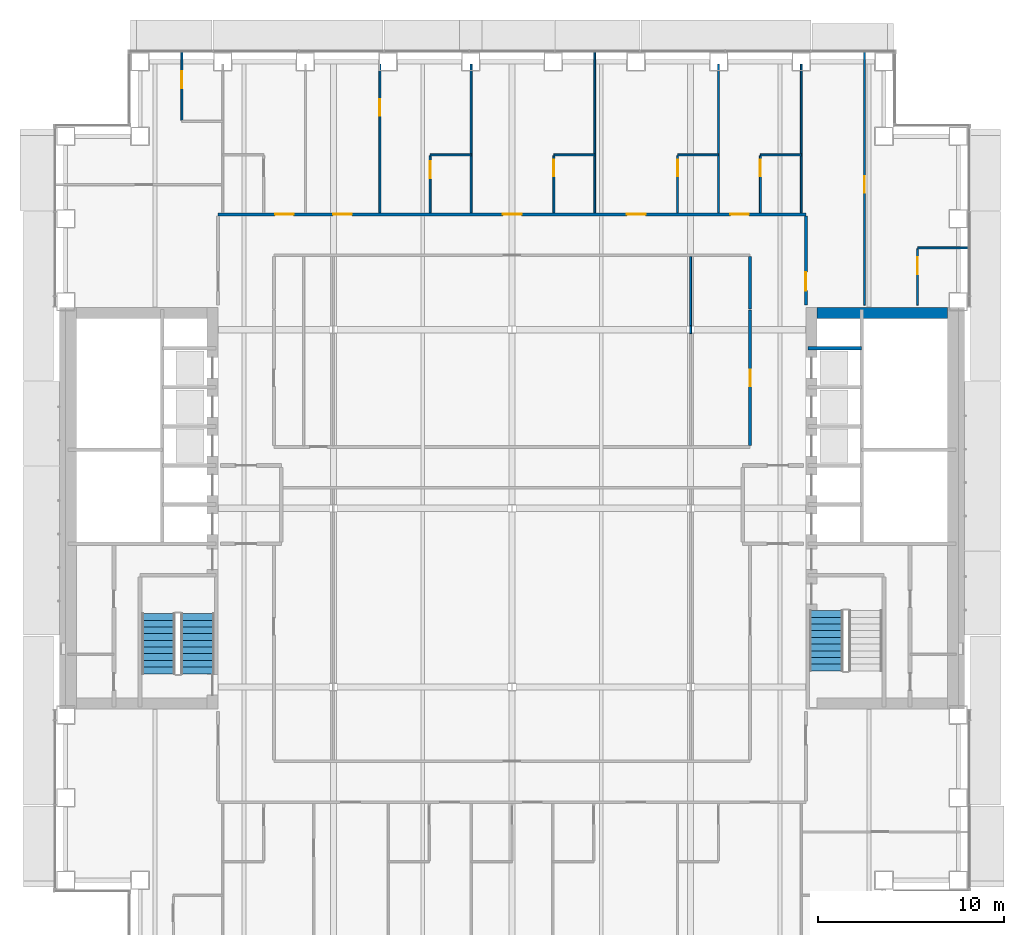
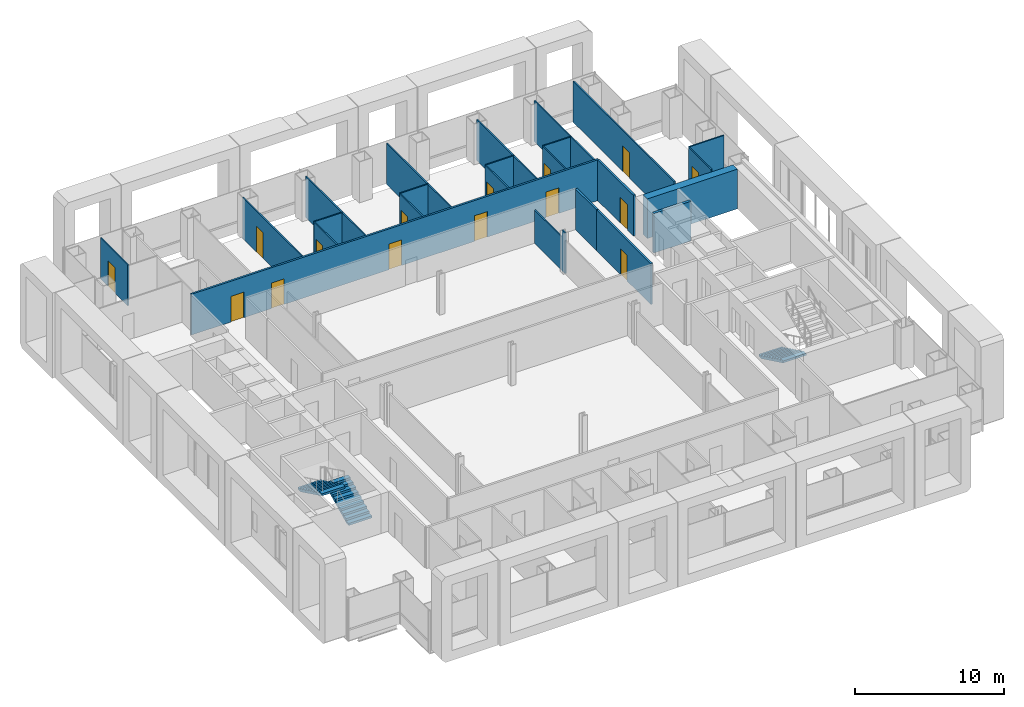
# One storey, part 18 of 25: 25 walls, 15 doors, 3 stair flights, 15 openings, 2 elements without a shape of their own.
"""IFC4 building model written with IfcOpenShell, lengths in metres."""

from ifc_helpers import new_model, si_unit, direction, frame, frame_2d, origin, place, context, subcontext, project, spatial, polyline, rectangle, outline, extrude, material, layer, layer_set, type_object, element, fill, aggregate, save


model = new_model("IFC4")

# Units and contexts
model_context = context("Model", 3, precision=1e-05, world=origin(), true_north=direction((0.0, 1.0)))
body_context = subcontext(model_context, "Body", "Model", "MODEL_VIEW")
ifc_project = project(units=[si_unit("LENGTHUNIT", "METRE"), si_unit("AREAUNIT", "SQUARE_METRE"), si_unit("VOLUMEUNIT", "CUBIC_METRE"), si_unit("PLANEANGLEUNIT", "RADIAN"), si_unit("MASSUNIT", "GRAM", prefix="KILO")], contexts=[model_context])

# Site, building, storey
site_placement = place(None, origin())
site = spatial("IfcSite", under=ifc_project, at=site_placement, CompositionType="ELEMENT")
building_placement = place(site_placement, origin())
building = spatial("IfcBuilding", under=site, at=building_placement, Name="Cobrizo Arcos Hotel Tower", CompositionType="ELEMENT")
storey_placement = place(building_placement, frame((0.0, 0.0, 46.0)))
storey = spatial("IfcBuildingStorey", under=building, at=storey_placement, Name="L09", CompositionType="ELEMENT", Elevation=46.0)

# Wall, openings, doors
ifc_material_1 = material(Name="Gypsum board partition")
ifc_layer_1 = layer(ifc_material_1, 0.14990234375)
ifc_layer_set_1 = layer_set([ifc_layer_1], Name="Corridor wall EI 60 150")
wall_type_1 = type_object("IfcWallType", Name="Corridor wall EI 60 150", PredefinedType="PARTITIONING", material=ifc_layer_set_1)
wall_1_placement = place(storey_placement, frame((-15.800048828125, 15.800048828125, 0.0), z_axis=(0.0, 0.0, 1.0), x_axis=(1.0, 0.0, 0.0)))
wall_1 = element("IfcWall", 1, at=wall_1_placement, inside=storey, type_object=wall_type_1, Name="Partition 037", PredefinedType="PARTITIONING", context=body_context, shape_type="SweptSolid", body=[
    extrude(rectangle(XDim=31.60009765625, YDim=0.14990234375, at=frame_2d((15.800048828125, 0.0))), origin(), (0.0, 0.0, 1.0), 3.35009765625),
])
opening_1_placement = place(wall_1_placement, frame((3.06689453125, 0.0, 0.0)))
opening_1 = element("IfcOpeningElement", 2, at=opening_1_placement, cuts=wall_1, Name="Opening GD-01", PredefinedType="OPENING", context=body_context, shape_type="SweptSolid", body=[
    extrude(rectangle(XDim=1.0, YDim=2.10009765625, at=frame_2d((0.5, 1.050048828125))), frame((0.0, 0.0869140625, 0.0), z_axis=(0.0, -1.0, 0.0), x_axis=(1.0, 0.0, 0.0)), (0.0, 0.0, 1.0), 0.173828125),
])
opening_2_placement = place(wall_1_placement, frame((6.18896484375, 0.0, 0.0)))
opening_2 = element("IfcOpeningElement", 3, at=opening_2_placement, cuts=wall_1, Name="Opening GD-02", PredefinedType="OPENING", context=body_context, shape_type="SweptSolid", body=[
    extrude(rectangle(XDim=1.0, YDim=2.10009765625, at=frame_2d((0.5, 1.050048828125))), frame((0.0, 0.0869140625, 0.0), z_axis=(0.0, -1.0, 0.0), x_axis=(1.0, 0.0, 0.0)), (0.0, 0.0, 1.0), 0.173828125),
])
opening_3_placement = place(wall_1_placement, frame((15.31103515625, 0.0, 0.0)))
opening_3 = element("IfcOpeningElement", 4, at=opening_3_placement, cuts=wall_1, Name="Opening GD-03", PredefinedType="OPENING", context=body_context, shape_type="SweptSolid", body=[
    extrude(rectangle(XDim=1.0, YDim=2.10009765625, at=frame_2d((0.5, 1.050048828125))), frame((0.0, 0.0869140625, 0.0), z_axis=(0.0, -1.0, 0.0), x_axis=(1.0, 0.0, 0.0)), (0.0, 0.0, 1.0), 0.173828125),
])
opening_4_placement = place(wall_1_placement, frame((21.97705078125, 0.0, 0.0)))
opening_4 = element("IfcOpeningElement", 5, at=opening_4_placement, cuts=wall_1, Name="Opening GD-04", PredefinedType="OPENING", context=body_context, shape_type="SweptSolid", body=[
    extrude(rectangle(XDim=1.0, YDim=2.10009765625, at=frame_2d((0.5, 1.050048828125))), frame((0.0, 0.0869140625, 0.0), z_axis=(0.0, -1.0, 0.0), x_axis=(1.0, 0.0, 0.0)), (0.0, 0.0, 1.0), 0.173828125),
])
opening_5_placement = place(wall_1_placement, frame((27.533935546875, 0.0, 0.0)))
opening_5 = element("IfcOpeningElement", 6, at=opening_5_placement, cuts=wall_1, Name="Opening GD-05", PredefinedType="OPENING", context=body_context, shape_type="SweptSolid", body=[
    extrude(rectangle(XDim=1.0, YDim=2.10009765625, at=frame_2d((0.5, 1.050048828125))), frame((0.0, 0.0869140625, 0.0), z_axis=(0.0, -1.0, 0.0), x_axis=(1.0, 0.0, 0.0)), (0.0, 0.0, 1.0), 0.173828125),
])
ifc_material_2 = material(Name="Timber door leaf", Category="wood")
door_type_1 = type_object("IfcDoorType", Name="Guest room door FD30S 1000x2100", OperationType="SINGLE_SWING_LEFT", PredefinedType="DOOR", material=ifc_material_2)
door_1_placement = place(opening_1_placement, origin())
door_1 = element("IfcDoor", 7, at=door_1_placement, inside=storey, type_object=door_type_1, Name="Door GD-01", OperationType="SINGLE_SWING_RIGHT", OverallHeight=2.10009765625, OverallWidth=1.0, PredefinedType="DOOR", context=body_context, shape_type="SweptSolid", body=[
    extrude(rectangle(XDim=1.0, YDim=2.10009765625, at=frame_2d((0.5, 1.050048828125))), frame((0.0, 0.02490234375, 0.0), z_axis=(0.0, -1.0, 0.0), x_axis=(1.0, 0.0, 0.0)), (0.0, 0.0, 1.0), 0.050048828125),
])
fill(opening_1, door_1)
door_2_placement = place(opening_2_placement, origin())
door_2 = element("IfcDoor", 8, at=door_2_placement, inside=storey, type_object=door_type_1, Name="Door GD-02", OperationType="SINGLE_SWING_LEFT", OverallHeight=2.10009765625, OverallWidth=1.0, PredefinedType="DOOR", context=body_context, shape_type="SweptSolid", body=[
    extrude(rectangle(XDim=1.0, YDim=2.10009765625, at=frame_2d((0.5, 1.050048828125))), frame((0.0, 0.02490234375, 0.0), z_axis=(0.0, -1.0, 0.0), x_axis=(1.0, 0.0, 0.0)), (0.0, 0.0, 1.0), 0.050048828125),
])
fill(opening_2, door_2)
door_3_placement = place(opening_3_placement, origin())
door_3 = element("IfcDoor", 9, at=door_3_placement, inside=storey, type_object=door_type_1, Name="Door GD-03", OperationType="SINGLE_SWING_LEFT", OverallHeight=2.10009765625, OverallWidth=1.0, PredefinedType="DOOR", context=body_context, shape_type="SweptSolid", body=[
    extrude(rectangle(XDim=1.0, YDim=2.10009765625, at=frame_2d((0.5, 1.050048828125))), frame((0.0, 0.02490234375, 0.0), z_axis=(0.0, -1.0, 0.0), x_axis=(1.0, 0.0, 0.0)), (0.0, 0.0, 1.0), 0.050048828125),
])
fill(opening_3, door_3)
door_4_placement = place(opening_4_placement, origin())
door_4 = element("IfcDoor", 10, at=door_4_placement, inside=storey, type_object=door_type_1, Name="Door GD-04", OperationType="SINGLE_SWING_RIGHT", OverallHeight=2.10009765625, OverallWidth=1.0, PredefinedType="DOOR", context=body_context, shape_type="SweptSolid", body=[
    extrude(rectangle(XDim=1.0, YDim=2.10009765625, at=frame_2d((0.5, 1.050048828125))), frame((0.0, 0.02490234375, 0.0), z_axis=(0.0, -1.0, 0.0), x_axis=(1.0, 0.0, 0.0)), (0.0, 0.0, 1.0), 0.050048828125),
])
fill(opening_4, door_4)
door_5_placement = place(opening_5_placement, origin())
door_5 = element("IfcDoor", 11, at=door_5_placement, inside=storey, type_object=door_type_1, Name="Door GD-05", OperationType="SINGLE_SWING_RIGHT", OverallHeight=2.10009765625, OverallWidth=1.0, PredefinedType="DOOR", context=body_context, shape_type="SweptSolid", body=[
    extrude(rectangle(XDim=1.0, YDim=2.10009765625, at=frame_2d((0.5, 1.050048828125))), frame((0.0, 0.02490234375, 0.0), z_axis=(0.0, -1.0, 0.0), x_axis=(1.0, 0.0, 0.0)), (0.0, 0.0, 1.0), 0.050048828125),
])
fill(opening_5, door_5)

# Wall, opening, door
wall_2_placement = place(storey_placement, frame((12.800048828125, 3.375, 0.0), z_axis=(0.0, 0.0, 1.0), x_axis=(0.0, 1.0, 0.0)))
wall_2 = element("IfcWall", 12, at=wall_2_placement, inside=storey, type_object=wall_type_1, Name="Partition 096", PredefinedType="PARTITIONING", context=body_context, shape_type="SweptSolid", body=[
    extrude(rectangle(XDim=7.27490234375, YDim=0.14990234375, at=frame_2d((3.637451171875, 0.0))), origin(), (0.0, 0.0, 1.0), 3.35009765625),
])
opening_6_placement = place(wall_2_placement, frame((3.175048828125, 0.0, 0.0)))
opening_6 = element("IfcOpeningElement", 13, at=opening_6_placement, cuts=wall_2, Name="Opening RD-09", PredefinedType="OPENING", context=body_context, shape_type="SweptSolid", body=[
    extrude(rectangle(XDim=0.89990234375, YDim=2.10009765625, at=frame_2d((0.449951171875, 1.050048828125))), frame((0.0, 0.0869140625, 0.0), z_axis=(0.0, -1.0, 0.0), x_axis=(1.0, 0.0, 0.0)), (0.0, 0.0, 1.0), 0.173828125),
])
door_type_2 = type_object("IfcDoorType", Name="Room door FD30 900x2100", OperationType="SINGLE_SWING_LEFT", PredefinedType="DOOR", material=ifc_material_2)
door_6_placement = place(opening_6_placement, origin())
door_6 = element("IfcDoor", 14, at=door_6_placement, inside=storey, type_object=door_type_2, Name="Door RD-09", OperationType="SINGLE_SWING_LEFT", OverallHeight=2.10009765625, OverallWidth=0.89990234375, PredefinedType="DOOR", context=body_context, shape_type="SweptSolid", body=[
    extrude(rectangle(XDim=0.89990234375, YDim=2.10009765625, at=frame_2d((0.449951171875, 1.050048828125))), frame((0.0, 0.02490234375, 0.0), z_axis=(0.0, -1.0, 0.0), x_axis=(1.0, 0.0, 0.0)), (0.0, 0.0, 1.0), 0.050048828125),
])
fill(opening_6, door_6)

# Wall
wall_3_placement = place(storey_placement, frame((12.800048828125, 10.699951171875, 0.0), z_axis=(0.0, 0.0, 1.0), x_axis=(0.0, 1.0, 0.0)))
element("IfcWall", 15, at=wall_3_placement, inside=storey, type_object=wall_type_1, Name="Partition 097", PredefinedType="PARTITIONING", context=body_context, shape_type="SweptSolid", body=[
    extrude(rectangle(XDim=2.824951171875, YDim=0.14990234375, at=frame_2d((1.41259765625, 0.0))), origin(), (0.0, 0.0, 1.0), 3.35009765625),
])

# Wall, opening, door
wall_4_placement = place(storey_placement, frame((15.800048828125, 10.919921875, 0.0), z_axis=(0.0, 0.0, 1.0), x_axis=(0.0, 1.0, 0.0)))
wall_4 = element("IfcWall", 16, at=wall_4_placement, inside=storey, type_object=wall_type_1, Name="Partition 102", PredefinedType="PARTITIONING", context=body_context, shape_type="SweptSolid", body=[
    extrude(rectangle(XDim=4.80517578125, YDim=0.14990234375, at=frame_2d((2.402587890625, 0.0))), origin(), (0.0, 0.0, 1.0), 3.35009765625),
])
opening_7_placement = place(wall_4_placement, frame((0.780029296875, 0.0, 0.0)))
opening_7 = element("IfcOpeningElement", 17, at=opening_7_placement, cuts=wall_4, Name="Opening GD-14", PredefinedType="OPENING", context=body_context, shape_type="SweptSolid", body=[
    extrude(rectangle(XDim=1.0, YDim=2.10009765625, at=frame_2d((0.5, 1.050048828125))), frame((0.0, 0.0869140625, 0.0), z_axis=(0.0, -1.0, 0.0), x_axis=(1.0, 0.0, 0.0)), (0.0, 0.0, 1.0), 0.173828125),
])
door_7_placement = place(opening_7_placement, origin())
door_7 = element("IfcDoor", 18, at=door_7_placement, inside=storey, type_object=door_type_1, Name="Door GD-14", OperationType="SINGLE_SWING_LEFT", OverallHeight=2.10009765625, OverallWidth=1.0, PredefinedType="DOOR", context=body_context, shape_type="SweptSolid", body=[
    extrude(rectangle(XDim=1.0, YDim=2.10009765625, at=frame_2d((0.5, 1.050048828125))), frame((0.0, 0.02490234375, 0.0), z_axis=(0.0, -1.0, 0.0), x_axis=(1.0, 0.0, 0.0)), (0.0, 0.0, 1.0), 0.050048828125),
])
fill(opening_7, door_7)

# Walls
ifc_layer_2 = layer(ifc_material_1, 0.10009765625)
ifc_layer_set_2 = layer_set([ifc_layer_2], Name="Partition EI 30 100")
wall_type_2 = type_object("IfcWallType", Name="Partition EI 30 100", PredefinedType="PARTITIONING", material=ifc_layer_set_2)
wall_5_placement = place(storey_placement, frame((21.800048828125, 14.0, 0.0), z_axis=(0.0, 0.0, 1.0), x_axis=(1.0, 0.0, 0.0)))
element("IfcWall", 19, at=wall_5_placement, inside=storey, type_object=wall_type_2, Name="Partition 036", PredefinedType="PARTITIONING", context=body_context, shape_type="SweptSolid", body=[
    extrude(rectangle(XDim=2.72998046875, YDim=0.10009765625, at=frame_2d((1.364990234375, 0.0))), origin(), (0.0, 0.0, 1.0), 3.35009765625),
])
for number, where, z_axis, x_axis, name in (
    (20, (-4.39990234375, 19.0, 0.0), (0.0, 0.0, 1.0), (1.0, 0.0, 0.0), "Partition 040"),
    (21, (2.25, 19.0, 0.0), (0.0, 0.0, 1.0), (1.0, 0.0, 0.0), "Partition 041"),
):
    element("IfcWall", number, at=place(storey_placement, frame(where, z_axis=z_axis, x_axis=x_axis)), inside=storey, type_object=wall_type_2, Name=name, PredefinedType="PARTITIONING", context=body_context, shape_type="SweptSolid", body=[
        extrude(rectangle(XDim=2.199951171875, YDim=0.10009765625, at=frame_2d((1.10009765625, 0.0))), origin(), (0.0, 0.0, 1.0), 3.35009765625),
    ])
wall_6_placement = place(storey_placement, frame((8.89990234375, 19.0, 0.0), z_axis=(0.0, 0.0, 1.0), x_axis=(1.0, 0.0, 0.0)))
element("IfcWall", 22, at=wall_6_placement, inside=storey, type_object=wall_type_2, Name="Partition 042", PredefinedType="PARTITIONING", context=body_context, shape_type="SweptSolid", body=[
    extrude(rectangle(XDim=2.2001953125, YDim=0.10009765625, at=frame_2d((1.10009765625, 0.0))), origin(), (0.0, 0.0, 1.0), 3.35009765625),
])
wall_7_placement = place(storey_placement, frame((13.35009765625, 19.0, 0.0), z_axis=(0.0, 0.0, 1.0), x_axis=(1.0, 0.0, 0.0)))
element("IfcWall", 23, at=wall_7_placement, inside=storey, type_object=wall_type_2, Name="Partition 043", PredefinedType="PARTITIONING", context=body_context, shape_type="SweptSolid", body=[
    extrude(rectangle(XDim=2.199951171875, YDim=0.10009765625, at=frame_2d((1.10009765625, 0.0))), origin(), (0.0, 0.0, 1.0), 3.35009765625),
])

# Wall, opening, door
wall_8_placement = place(storey_placement, frame((-17.75, 20.85009765625, 0.0), z_axis=(0.0, 0.0, 1.0), x_axis=(0.0, 1.0, 0.0)))
wall_8 = element("IfcWall", 24, at=wall_8_placement, inside=storey, type_object=wall_type_2, Name="Partition 049", PredefinedType="PARTITIONING", context=body_context, shape_type="SweptSolid", body=[
    extrude(rectangle(XDim=3.679931640625, YDim=0.10009765625, at=frame_2d((1.83984375, 0.0))), origin(), (0.0, 0.0, 1.0), 3.35009765625),
])
opening_8_placement = place(wall_8_placement, frame((1.739990234375, 0.0, 0.0)))
opening_8 = element("IfcOpeningElement", 25, at=opening_8_placement, cuts=wall_8, Name="Opening ED-13", PredefinedType="OPENING", context=body_context, shape_type="SweptSolid", body=[
    extrude(rectangle(XDim=0.89990234375, YDim=2.10009765625, at=frame_2d((0.449951171875, 1.050048828125))), frame((0.0, 0.06201171875, 0.0), z_axis=(0.0, -1.0, 0.0), x_axis=(1.0, 0.0, 0.0)), (0.0, 0.0, 1.0), 0.1240234375),
])
door_type_3 = type_object("IfcDoorType", Name="En-suite door 900x2100", OperationType="SINGLE_SWING_LEFT", PredefinedType="DOOR", material=ifc_material_2)
door_8_placement = place(opening_8_placement, origin())
door_8 = element("IfcDoor", 26, at=door_8_placement, inside=storey, type_object=door_type_3, Name="Door ED-13", OperationType="SINGLE_SWING_LEFT", OverallHeight=2.10009765625, OverallWidth=0.89990234375, PredefinedType="DOOR", context=body_context, shape_type="SweptSolid", body=[
    extrude(rectangle(XDim=0.89990234375, YDim=2.10009765625, at=frame_2d((0.449951171875, 1.050048828125))), frame((0.0, 0.02490234375, 0.0), z_axis=(0.0, -1.0, 0.0), x_axis=(1.0, 0.0, 0.0)), (0.0, 0.0, 1.0), 0.050048828125),
])
fill(opening_8, door_8)

wall_9_placement = place(storey_placement, frame((-7.10009765625, 15.875, 0.0), z_axis=(0.0, 0.0, 1.0), x_axis=(0.0, 1.0, 0.0)))
wall_9 = element("IfcWall", 27, at=wall_9_placement, inside=storey, type_object=wall_type_2, Name="Partition 071", PredefinedType="PARTITIONING", context=body_context, shape_type="SweptSolid", body=[
    extrude(rectangle(XDim=8.0048828125, YDim=0.10009765625, at=frame_2d((4.00244140625, 0.0))), origin(), (0.0, 0.0, 1.0), 3.35009765625),
])
opening_9_placement = place(wall_9_placement, frame((5.215087890625, 0.0, 0.0)))
opening_9 = element("IfcOpeningElement", 28, at=opening_9_placement, cuts=wall_9, Name="Opening RD-04", PredefinedType="OPENING", context=body_context, shape_type="SweptSolid", body=[
    extrude(rectangle(XDim=0.89990234375, YDim=2.10009765625, at=frame_2d((0.449951171875, 1.050048828125))), frame((0.0, 0.06201171875, 0.0), z_axis=(0.0, -1.0, 0.0), x_axis=(1.0, 0.0, 0.0)), (0.0, 0.0, 1.0), 0.1240234375),
])
door_9_placement = place(opening_9_placement, origin())
door_9 = element("IfcDoor", 29, at=door_9_placement, inside=storey, type_object=door_type_2, Name="Door RD-04", OperationType="SINGLE_SWING_LEFT", OverallHeight=2.10009765625, OverallWidth=0.89990234375, PredefinedType="DOOR", context=body_context, shape_type="SweptSolid", body=[
    extrude(rectangle(XDim=0.89990234375, YDim=2.10009765625, at=frame_2d((0.449951171875, 1.050048828125))), frame((0.0, 0.02490234375, 0.0), z_axis=(0.0, -1.0, 0.0), x_axis=(1.0, 0.0, 0.0)), (0.0, 0.0, 1.0), 0.050048828125),
])
fill(opening_9, door_9)

wall_10_placement = place(storey_placement, frame((-4.39990234375, 15.875, 0.0), z_axis=(0.0, 0.0, 1.0), x_axis=(0.0, 1.0, 0.0)))
wall_10 = element("IfcWall", 30, at=wall_10_placement, inside=storey, type_object=wall_type_2, Name="Partition 074", PredefinedType="PARTITIONING", context=body_context, shape_type="SweptSolid", body=[
    extrude(rectangle(XDim=3.074951171875, YDim=0.10009765625, at=frame_2d((1.53759765625, 0.0))), origin(), (0.0, 0.0, 1.0), 3.35009765625),
])
opening_10_placement = place(wall_10_placement, frame((1.875, 0.0, 0.0)))
opening_10 = element("IfcOpeningElement", 31, at=opening_10_placement, cuts=wall_10, Name="Opening ED-03", PredefinedType="OPENING", context=body_context, shape_type="SweptSolid", body=[
    extrude(rectangle(XDim=0.89990234375, YDim=2.10009765625, at=frame_2d((0.449951171875, 1.050048828125))), frame((0.0, 0.06201171875, 0.0), z_axis=(0.0, -1.0, 0.0), x_axis=(1.0, 0.0, 0.0)), (0.0, 0.0, 1.0), 0.1240234375),
])
door_10_placement = place(opening_10_placement, origin())
door_10 = element("IfcDoor", 32, at=door_10_placement, inside=storey, type_object=door_type_3, Name="Door ED-03", OperationType="SINGLE_SWING_RIGHT", OverallHeight=2.10009765625, OverallWidth=0.89990234375, PredefinedType="DOOR", context=body_context, shape_type="SweptSolid", body=[
    extrude(rectangle(XDim=0.89990234375, YDim=2.10009765625, at=frame_2d((0.449951171875, 1.050048828125))), frame((0.0, 0.02490234375, 0.0), z_axis=(0.0, -1.0, 0.0), x_axis=(1.0, 0.0, 0.0)), (0.0, 0.0, 1.0), 0.050048828125),
])
fill(opening_10, door_10)

# Wall
wall_11_placement = place(storey_placement, frame((-2.199951171875, 15.875, 0.0), z_axis=(0.0, 0.0, 1.0), x_axis=(0.0, 1.0, 0.0)))
element("IfcWall", 33, at=wall_11_placement, inside=storey, type_object=wall_type_2, Name="Partition 076", PredefinedType="PARTITIONING", context=body_context, shape_type="SweptSolid", body=[
    extrude(rectangle(XDim=8.0048828125, YDim=0.10009765625, at=frame_2d((4.00244140625, 0.0))), origin(), (0.0, 0.0, 1.0), 3.35009765625),
])

# Wall, opening, door
wall_12_placement = place(storey_placement, frame((2.25, 15.875, 0.0), z_axis=(0.0, 0.0, 1.0), x_axis=(0.0, 1.0, 0.0)))
wall_12 = element("IfcWall", 34, at=wall_12_placement, inside=storey, type_object=wall_type_2, Name="Partition 079", PredefinedType="PARTITIONING", context=body_context, shape_type="SweptSolid", body=[
    extrude(rectangle(XDim=3.074951171875, YDim=0.10009765625, at=frame_2d((1.53759765625, 0.0))), origin(), (0.0, 0.0, 1.0), 3.35009765625),
])
opening_11_placement = place(wall_12_placement, frame((1.970947265625, 0.0, 0.0)))
opening_11 = element("IfcOpeningElement", 35, at=opening_11_placement, cuts=wall_12, Name="Opening ED-04", PredefinedType="OPENING", context=body_context, shape_type="SweptSolid", body=[
    extrude(rectangle(XDim=0.89990234375, YDim=2.10009765625, at=frame_2d((0.449951171875, 1.050048828125))), frame((0.0, 0.06201171875, 0.0), z_axis=(0.0, -1.0, 0.0), x_axis=(1.0, 0.0, 0.0)), (0.0, 0.0, 1.0), 0.1240234375),
])
door_11_placement = place(opening_11_placement, origin())
door_11 = element("IfcDoor", 36, at=door_11_placement, inside=storey, type_object=door_type_3, Name="Door ED-04", OperationType="SINGLE_SWING_RIGHT", OverallHeight=2.10009765625, OverallWidth=0.89990234375, PredefinedType="DOOR", context=body_context, shape_type="SweptSolid", body=[
    extrude(rectangle(XDim=0.89990234375, YDim=2.10009765625, at=frame_2d((0.449951171875, 1.050048828125))), frame((0.0, 0.02490234375, 0.0), z_axis=(0.0, -1.0, 0.0), x_axis=(1.0, 0.0, 0.0)), (0.0, 0.0, 1.0), 0.050048828125),
])
fill(opening_11, door_11)

# Wall
wall_13_placement = place(storey_placement, frame((4.449951171875, 15.875, 0.0), z_axis=(0.0, 0.0, 1.0), x_axis=(0.0, 1.0, 0.0)))
element("IfcWall", 37, at=wall_13_placement, inside=storey, type_object=wall_type_2, Name="Partition 081", PredefinedType="PARTITIONING", context=body_context, shape_type="SweptSolid", body=[
    extrude(rectangle(XDim=8.655029296875, YDim=0.10009765625, at=frame_2d((4.32763671875, 0.0))), origin(), (0.0, 0.0, 1.0), 3.35009765625),
])

# Wall, opening, door
wall_14_placement = place(storey_placement, frame((8.89990234375, 15.875, 0.0), z_axis=(0.0, 0.0, 1.0), x_axis=(0.0, 1.0, 0.0)))
wall_14 = element("IfcWall", 38, at=wall_14_placement, inside=storey, type_object=wall_type_2, Name="Partition 083", PredefinedType="PARTITIONING", context=body_context, shape_type="SweptSolid", body=[
    extrude(rectangle(XDim=3.074951171875, YDim=0.10009765625, at=frame_2d((1.53759765625, 0.0))), origin(), (0.0, 0.0, 1.0), 3.35009765625),
])
opening_12_placement = place(wall_14_placement, frame((1.970947265625, 0.0, 0.0)))
opening_12 = element("IfcOpeningElement", 39, at=opening_12_placement, cuts=wall_14, Name="Opening ED-05", PredefinedType="OPENING", context=body_context, shape_type="SweptSolid", body=[
    extrude(rectangle(XDim=0.89990234375, YDim=2.10009765625, at=frame_2d((0.449951171875, 1.050048828125))), frame((0.0, 0.06201171875, 0.0), z_axis=(0.0, -1.0, 0.0), x_axis=(1.0, 0.0, 0.0)), (0.0, 0.0, 1.0), 0.1240234375),
])
door_12_placement = place(opening_12_placement, origin())
door_12 = element("IfcDoor", 40, at=door_12_placement, inside=storey, type_object=door_type_3, Name="Door ED-05", OperationType="SINGLE_SWING_LEFT", OverallHeight=2.10009765625, OverallWidth=0.89990234375, PredefinedType="DOOR", context=body_context, shape_type="SweptSolid", body=[
    extrude(rectangle(XDim=0.89990234375, YDim=2.10009765625, at=frame_2d((0.449951171875, 1.050048828125))), frame((0.0, 0.02490234375, 0.0), z_axis=(0.0, -1.0, 0.0), x_axis=(1.0, 0.0, 0.0)), (0.0, 0.0, 1.0), 0.050048828125),
])
fill(opening_12, door_12)

# Walls
wall_15_placement = place(storey_placement, frame((9.60009765625, 9.39599609375, 0.0), z_axis=(0.0, 0.0, 1.0), x_axis=(0.0, 1.0, 0.0)))
element("IfcWall", 41, at=wall_15_placement, inside=storey, type_object=wall_type_2, Name="Partition 090", PredefinedType="PARTITIONING", context=body_context, shape_type="SweptSolid", body=[
    extrude(rectangle(XDim=0.407958984375, YDim=0.10009765625, at=frame_2d((0.2041015625, 0.0))), origin(), (0.0, 0.0, 1.0), 3.35009765625),
])
wall_16_placement = place(storey_placement, frame((9.60009765625, 9.803955078125, 0.0), z_axis=(0.0, 0.0, 1.0), x_axis=(0.0, 1.0, 0.0)))
element("IfcWall", 42, at=wall_16_placement, inside=storey, type_object=wall_type_2, Name="Partition 091", PredefinedType="PARTITIONING", context=body_context, shape_type="SweptSolid", body=[
    extrude(rectangle(XDim=3.720947265625, YDim=0.10009765625, at=frame_2d((1.8603515625, 0.0))), origin(), (0.0, 0.0, 1.0), 2.72802734375),
])
wall_17_placement = place(storey_placement, frame((11.10009765625, 15.875, 0.0), z_axis=(0.0, 0.0, 1.0), x_axis=(0.0, 1.0, 0.0)))
element("IfcWall", 43, at=wall_17_placement, inside=storey, type_object=wall_type_2, Name="Partition 093", PredefinedType="PARTITIONING", context=body_context, shape_type="SweptSolid", body=[
    extrude(rectangle(XDim=8.0048828125, YDim=0.10009765625, at=frame_2d((4.00244140625, 0.0))), origin(), (0.0, 0.0, 1.0), 3.35009765625),
])

# Wall, opening, door
wall_18_placement = place(storey_placement, frame((13.35009765625, 15.875, 0.0), z_axis=(0.0, 0.0, 1.0), x_axis=(0.0, 1.0, 0.0)))
wall_18 = element("IfcWall", 44, at=wall_18_placement, inside=storey, type_object=wall_type_2, Name="Partition 098", PredefinedType="PARTITIONING", context=body_context, shape_type="SweptSolid", body=[
    extrude(rectangle(XDim=3.074951171875, YDim=0.10009765625, at=frame_2d((1.53759765625, 0.0))), origin(), (0.0, 0.0, 1.0), 3.35009765625),
])
opening_13_placement = place(wall_18_placement, frame((1.970947265625, 0.0, 0.0)))
opening_13 = element("IfcOpeningElement", 45, at=opening_13_placement, cuts=wall_18, Name="Opening ED-06", PredefinedType="OPENING", context=body_context, shape_type="SweptSolid", body=[
    extrude(rectangle(XDim=0.89990234375, YDim=2.10009765625, at=frame_2d((0.449951171875, 1.050048828125))), frame((0.0, 0.06201171875, 0.0), z_axis=(0.0, -1.0, 0.0), x_axis=(1.0, 0.0, 0.0)), (0.0, 0.0, 1.0), 0.1240234375),
])
door_13_placement = place(opening_13_placement, origin())
door_13 = element("IfcDoor", 46, at=door_13_placement, inside=storey, type_object=door_type_3, Name="Door ED-06", OperationType="SINGLE_SWING_RIGHT", OverallHeight=2.10009765625, OverallWidth=0.89990234375, PredefinedType="DOOR", context=body_context, shape_type="SweptSolid", body=[
    extrude(rectangle(XDim=0.89990234375, YDim=2.10009765625, at=frame_2d((0.449951171875, 1.050048828125))), frame((0.0, 0.02490234375, 0.0), z_axis=(0.0, -1.0, 0.0), x_axis=(1.0, 0.0, 0.0)), (0.0, 0.0, 1.0), 0.050048828125),
])
fill(opening_13, door_13)

# Wall
wall_19_placement = place(storey_placement, frame((15.550048828125, 15.875, 0.0), z_axis=(0.0, 0.0, 1.0), x_axis=(0.0, 1.0, 0.0)))
element("IfcWall", 47, at=wall_19_placement, inside=storey, type_object=wall_type_2, Name="Partition 100", PredefinedType="PARTITIONING", context=body_context, shape_type="SweptSolid", body=[
    extrude(rectangle(XDim=8.0048828125, YDim=0.10009765625, at=frame_2d((4.00244140625, 0.0))), origin(), (0.0, 0.0, 1.0), 3.35009765625),
])

# Wall, opening, door
wall_20_placement = place(storey_placement, frame((18.949951171875, 10.919921875, 0.0), z_axis=(0.0, 0.0, 1.0), x_axis=(0.0, 1.0, 0.0)))
wall_20 = element("IfcWall", 48, at=wall_20_placement, inside=storey, type_object=wall_type_2, Name="Partition 105", PredefinedType="PARTITIONING", context=body_context, shape_type="SweptSolid", body=[
    extrude(rectangle(XDim=13.610107421875, YDim=0.10009765625, at=frame_2d((6.80517578125, 0.0))), origin(), (0.0, 0.0, 1.0), 3.35009765625),
])
opening_14_placement = place(wall_20_placement, frame((6.030029296875, 0.0, 0.0)))
opening_14 = element("IfcOpeningElement", 49, at=opening_14_placement, cuts=wall_20, Name="Opening RD-08", PredefinedType="OPENING", context=body_context, shape_type="SweptSolid", body=[
    extrude(rectangle(XDim=0.89990234375, YDim=2.10009765625, at=frame_2d((0.449951171875, 1.050048828125))), frame((0.0, 0.06201171875, 0.0), z_axis=(0.0, -1.0, 0.0), x_axis=(1.0, 0.0, 0.0)), (0.0, 0.0, 1.0), 0.1240234375),
])
door_14_placement = place(opening_14_placement, origin())
door_14 = element("IfcDoor", 50, at=door_14_placement, inside=storey, type_object=door_type_2, Name="Door RD-08", OperationType="SINGLE_SWING_RIGHT", OverallHeight=2.10009765625, OverallWidth=0.89990234375, PredefinedType="DOOR", context=body_context, shape_type="SweptSolid", body=[
    extrude(rectangle(XDim=0.89990234375, YDim=2.10009765625, at=frame_2d((0.449951171875, 1.050048828125))), frame((0.0, 0.02490234375, 0.0), z_axis=(0.0, -1.0, 0.0), x_axis=(1.0, 0.0, 0.0)), (0.0, 0.0, 1.0), 0.050048828125),
])
fill(opening_14, door_14)

wall_21_placement = place(storey_placement, frame((21.800048828125, 10.919921875, 0.0), z_axis=(0.0, 0.0, 1.0), x_axis=(0.0, 1.0, 0.0)))
wall_21 = element("IfcWall", 51, at=wall_21_placement, inside=storey, type_object=wall_type_2, Name="Partition 108", PredefinedType="PARTITIONING", context=body_context, shape_type="SweptSolid", body=[
    extrude(rectangle(XDim=3.030029296875, YDim=0.10009765625, at=frame_2d((1.51513671875, 0.0))), origin(), (0.0, 0.0, 1.0), 3.35009765625),
])
opening_15_placement = place(wall_21_placement, frame((1.669921875, 0.0, 0.0)))
opening_15 = element("IfcOpeningElement", 52, at=opening_15_placement, cuts=wall_21, Name="Opening ED-15", PredefinedType="OPENING", context=body_context, shape_type="SweptSolid", body=[
    extrude(rectangle(XDim=0.89990234375, YDim=2.10009765625, at=frame_2d((0.449951171875, 1.050048828125))), frame((0.0, 0.06201171875, 0.0), z_axis=(0.0, -1.0, 0.0), x_axis=(1.0, 0.0, 0.0)), (0.0, 0.0, 1.0), 0.1240234375),
])
door_15_placement = place(opening_15_placement, origin())
door_15 = element("IfcDoor", 53, at=door_15_placement, inside=storey, type_object=door_type_3, Name="Door ED-15", OperationType="SINGLE_SWING_LEFT", OverallHeight=2.10009765625, OverallWidth=0.89990234375, PredefinedType="DOOR", context=body_context, shape_type="SweptSolid", body=[
    extrude(rectangle(XDim=0.89990234375, YDim=2.10009765625, at=frame_2d((0.449951171875, 1.050048828125))), frame((0.0, 0.02490234375, 0.0), z_axis=(0.0, -1.0, 0.0), x_axis=(1.0, 0.0, 0.0)), (0.0, 0.0, 1.0), 0.050048828125),
])
fill(opening_15, door_15)

# Walls
ifc_material_3 = material(Name="Concrete f'c 60 MPa", Category="concrete")
ifc_layer_3 = layer(ifc_material_3, 0.60009765625)
ifc_layer_set_3 = layer_set([ifc_layer_3], Name="RC core wall 600 f'c 60")
wall_type_3 = type_object("IfcWallType", Name="RC core wall 600 f'c 60", PredefinedType="SHEAR", material=ifc_layer_set_3)
wall_22_placement = place(storey_placement, frame((16.39990234375, 10.5, 0.0), z_axis=(0.0, 0.0, 1.0), x_axis=(1.0, 0.0, 0.0)))
element("IfcWall", 54, at=wall_22_placement, inside=storey, type_object=wall_type_3, Name="Core wall CW1, east core, north end, L09", PredefinedType="SHEAR", context=body_context, shape_type="SweptSolid", body=[
    extrude(rectangle(XDim=7.0, YDim=0.60009765625, at=frame_2d((3.5, 0.0))), origin(), (0.0, 0.0, 1.0), 3.25),
])
ifc_layer_4 = layer(ifc_material_1, 0.199951171875)
ifc_layer_set_4 = layer_set([ifc_layer_4], Name="Shaft wall EI 120 200")
wall_type_4 = type_object("IfcWallType", Name="Shaft wall EI 120 200", PredefinedType="PARTITIONING", material=ifc_layer_set_4)
wall_23_placement = place(storey_placement, frame((15.919921875, 8.60009765625, 0.0), z_axis=(0.0, 0.0, 1.0), x_axis=(1.0, 0.0, 0.0)))
element("IfcWall", 55, at=wall_23_placement, inside=storey, type_object=wall_type_4, Name="Partition 034", PredefinedType="PARTITIONING", context=body_context, shape_type="SweptSolid", body=[
    extrude(rectangle(XDim=2.880126953125, YDim=0.199951171875, at=frame_2d((1.43994140625, 0.0))), origin(), (0.0, 0.0, 1.0), 3.25),
])

# Stair, stair flights
ifc_material_4 = material(Name="Concrete f'c 40 MPa", Category="concrete")
stair_type = type_object("IfcStairType", Name="Exit stair", PredefinedType="HALF_TURN_STAIR", material=ifc_material_4)
stair_1_placement = place(storey_placement, origin())
stair_1 = element("IfcStair", 56, at=stair_1_placement, inside=storey, type_object=stair_type, Name="L09 Exit stair ST-W", PredefinedType="HALF_TURN_STAIR")
stair_flight_type = type_object("IfcStairFlightType", Name="Exit stair flight", PredefinedType="STRAIGHT", material=ifc_material_4)
stair_flight_1_placement = place(storey_placement, frame((-16.89990234375, -8.89990234375, 0.0), z_axis=(0.0, 0.0, 1.0), x_axis=(0.0, 1.0, 0.0)))
stair_flight_1 = element("IfcStairFlight", 57, at=stair_flight_1_placement, type_object=stair_flight_type, Name="ST-W flight 1", NumberOfRisers=10, NumberOfTreads=9, PredefinedType="STRAIGHT", RiserHeight=0.175, TreadLength=0.36, context=body_context, shape_type="SweptSolid", body=[
    extrude(outline(polyline([(0.0, 0.0), (0.0, 0.175048828125), (0.360107421875, 0.175048828125), (0.360107421875, 0.35009765625), (0.719970703125, 0.35009765625), (0.719970703125, 0.52490234375), (1.080078125, 0.52490234375), (1.080078125, 0.699951171875), (1.43994140625, 0.699951171875), (1.43994140625, 0.875), (1.800048828125, 0.875), (1.800048828125, 1.050048828125), (2.159912109375, 1.050048828125), (2.159912109375, 1.22509765625), (2.52001953125, 1.22509765625), (2.52001953125, 1.39990234375), (2.8798828125, 1.39990234375), (2.8798828125, 1.574951171875), (3.239990234375, 1.574951171875), (3.239990234375, 1.75), (3.239990234375, 1.408203125), (0.3427734375, 0.0), (0.0, 0.0)])), frame((0.0, 0.89990234375, 0.0), z_axis=(0.0, -1.0, 0.0), x_axis=(1.0, 0.0, 0.0)), (0.0, 0.0, 1.0), 1.800048828125),
])
stair_flight_2_placement = place(storey_placement, frame((-19.0, -5.659912109375, 1.75), z_axis=(0.0, 0.0, 1.0), x_axis=(0.0, -1.0, 0.0)))
stair_flight_2 = element("IfcStairFlight", 58, at=stair_flight_2_placement, type_object=stair_flight_type, Name="ST-W flight 2", NumberOfRisers=10, NumberOfTreads=9, PredefinedType="STRAIGHT", RiserHeight=0.175, TreadLength=0.36, context=body_context, shape_type="SweptSolid", body=[
    extrude(outline(polyline([(0.0, 0.0), (0.0, 0.175048828125), (0.360107421875, 0.175048828125), (0.360107421875, 0.35009765625), (0.719970703125, 0.35009765625), (0.719970703125, 0.52490234375), (1.080078125, 0.52490234375), (1.080078125, 0.699951171875), (1.43994140625, 0.699951171875), (1.43994140625, 0.875), (1.800048828125, 0.875), (1.800048828125, 1.050048828125), (2.159912109375, 1.050048828125), (2.159912109375, 1.22509765625), (2.52001953125, 1.22509765625), (2.52001953125, 1.39990234375), (2.8798828125, 1.39990234375), (2.8798828125, 1.574951171875), (3.239990234375, 1.574951171875), (3.239990234375, 1.75), (3.239990234375, 1.408203125), (0.3427734375, 0.0), (0.0, 0.0)])), frame((0.0, 0.89990234375, 0.0), z_axis=(0.0, -1.0, 0.0), x_axis=(1.0, 0.0, 0.0)), (0.0, 0.0, 1.0), 1.800048828125),
])
aggregate(stair_1, [stair_flight_1, stair_flight_2])

# Stair, stair flight
stair_2_placement = place(storey_placement, origin())
stair_2 = element("IfcStair", 59, at=stair_2_placement, inside=storey, type_object=stair_type, Name="L09 Exit stair ST-E", PredefinedType="HALF_TURN_STAIR")
stair_flight_3_placement = place(storey_placement, frame((16.89990234375, -5.5, 0.0), z_axis=(0.0, 0.0, 1.0), x_axis=(0.0, -1.0, 0.0)))
stair_flight_3 = element("IfcStairFlight", 60, at=stair_flight_3_placement, type_object=stair_flight_type, Name="ST-E flight 1", NumberOfRisers=10, NumberOfTreads=9, PredefinedType="STRAIGHT", RiserHeight=0.175, TreadLength=0.36, context=body_context, shape_type="SweptSolid", body=[
    extrude(outline(polyline([(0.0, 0.0), (0.0, 0.175048828125), (0.360107421875, 0.175048828125), (0.360107421875, 0.35009765625), (0.719970703125, 0.35009765625), (0.719970703125, 0.52490234375), (1.080078125, 0.52490234375), (1.080078125, 0.699951171875), (1.43994140625, 0.699951171875), (1.43994140625, 0.875), (1.800048828125, 0.875), (1.800048828125, 1.050048828125), (2.159912109375, 1.050048828125), (2.159912109375, 1.22509765625), (2.52001953125, 1.22509765625), (2.52001953125, 1.39990234375), (2.8798828125, 1.39990234375), (2.8798828125, 1.574951171875), (3.239990234375, 1.574951171875), (3.239990234375, 1.75), (3.239990234375, 1.408203125), (0.3427734375, 0.0), (0.0, 0.0)])), frame((0.0, 0.89990234375, 0.0), z_axis=(0.0, -1.0, 0.0), x_axis=(1.0, 0.0, 0.0)), (0.0, 0.0, 1.0), 1.800048828125),
])
aggregate(stair_2, [stair_flight_3])

save(model, "model.ifc")
